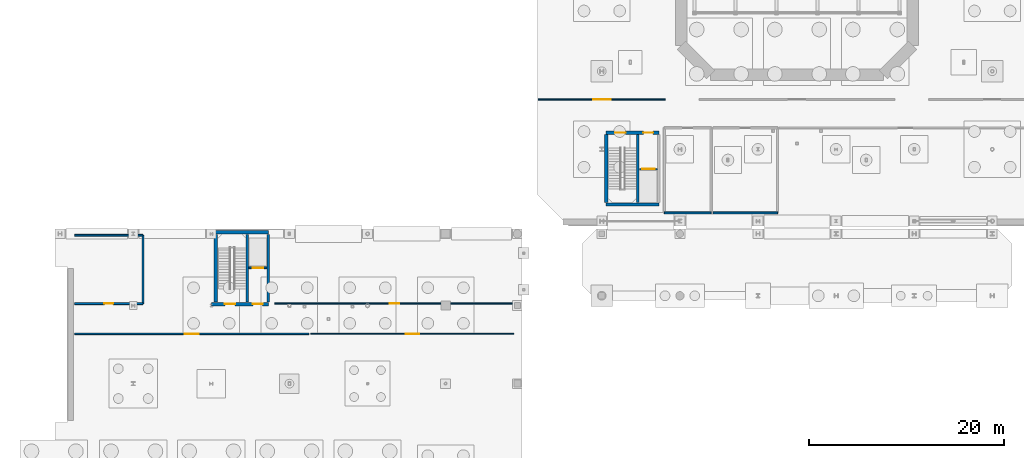
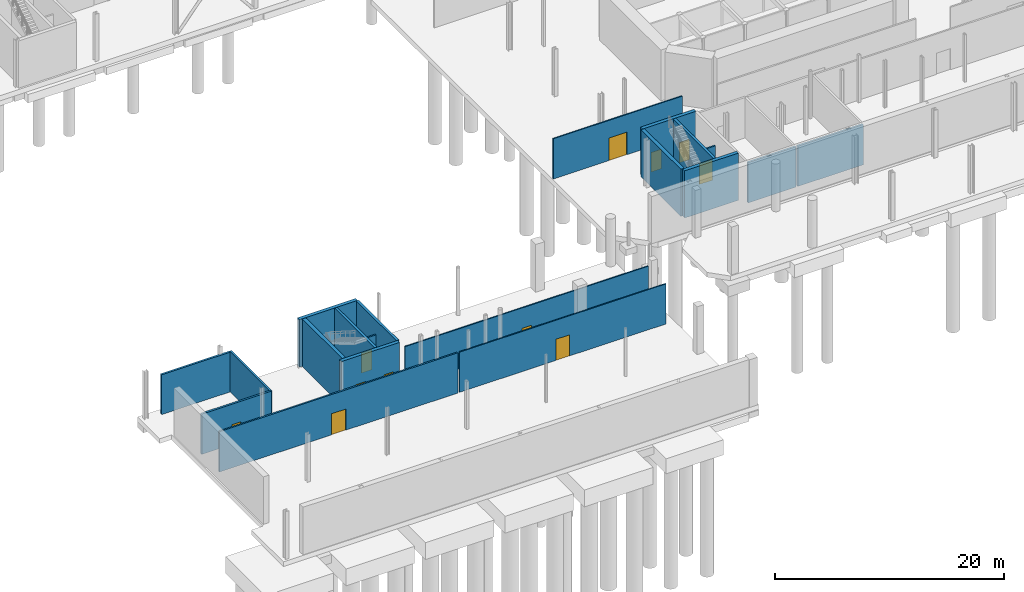
# One storey, part 20 of 33: 20 walls, 11 doors, 11 openings.
"""IFC4 building model written with IfcOpenShell, lengths in metres."""

from ifc_helpers import new_model, si_unit, direction, frame, frame_2d, origin, place, context, subcontext, project, spatial, rectangle, extrude, material, layer, layer_set, type_object, element, fill, save


model = new_model("IFC4")

# Units and contexts
model_context = context("Model", 3, precision=1e-05, world=origin(), true_north=direction((0.0, 1.0)))
body_context = subcontext(model_context, "Body", "Model", "MODEL_VIEW")
ifc_project = project(units=[si_unit("LENGTHUNIT", "METRE"), si_unit("AREAUNIT", "SQUARE_METRE"), si_unit("VOLUMEUNIT", "CUBIC_METRE"), si_unit("PLANEANGLEUNIT", "RADIAN"), si_unit("MASSUNIT", "GRAM", prefix="KILO")], contexts=[model_context])

# Site, building, storey
site_placement = place(None, origin())
site = spatial("IfcSite", under=ifc_project, at=site_placement, CompositionType="ELEMENT")
building_placement = place(site_placement, origin())
building = spatial("IfcBuilding", under=site, at=building_placement, Name="Brisemont Oceanarium", CompositionType="ELEMENT")
storey_placement = place(building_placement, frame((0.0, 0.0, -5.39990234375)))
storey = spatial("IfcBuildingStorey", under=building, at=storey_placement, Name="B01", CompositionType="ELEMENT", Elevation=-5.39990234375)

# Wall, opening, door
ifc_material_1 = material(Name="Moisture-Resistant Gypsum Steel-Stud Partition", Category="steel")
ifc_layer_1 = layer(ifc_material_1, 0.159912109375)
ifc_layer_set_1 = layer_set([ifc_layer_1], Name="Moisture-Resistant Gypsum Steel-Stud Partition")
wall_type_1 = type_object("IfcWallType", Name="IW-FB-160", PredefinedType="PARTITIONING", material=ifc_layer_set_1)
wall_1_placement = place(storey_placement, frame((67.85009765625, 37.97998046875, 0.0), z_axis=(0.0, 0.0, 1.0), x_axis=(1.0, 0.0, 0.0)))
wall_1 = element("IfcWall", 1, at=wall_1_placement, inside=storey, type_object=wall_type_1, Name="Core C1 B01 lift hoistway front wall", PredefinedType="PARTITIONING", context=body_context, shape_type="SweptSolid", body=[
    extrude(rectangle(XDim=1.83984375, YDim=0.159912109375, at=frame_2d((0.919921875, 0.0))), origin(), (0.0, 0.0, 1.0), 3.599853515625),
])
opening_1_placement = place(wall_1_placement, frame((0.27001953125, 0.0, 0.0)))
opening_1 = element("IfcOpeningElement", 2, at=opening_1_placement, cuts=wall_1, Name="Opening LD-02", PredefinedType="OPENING", context=body_context, shape_type="SweptSolid", body=[
    extrude(rectangle(XDim=1.300048828125, YDim=2.199951171875, at=frame_2d((0.64990234375, 1.10009765625))), frame((0.0, 0.08984375, 0.0), z_axis=(0.0, -1.0, 0.0), x_axis=(1.0, 0.0, 0.0)), (0.0, 0.0, 1.0), 0.179931640625),
])
ifc_material_2 = material(Name="Duplex Stainless Steel EN 1.4462", Category="steel")
door_type_1 = type_object("IfcDoorType", Name="DR-LIFT-1300X2200", OperationType="NOTDEFINED", PredefinedType="DOOR", material=ifc_material_2)
door_1_placement = place(opening_1_placement, origin())
door_1 = element("IfcDoor", 3, at=door_1_placement, inside=storey, type_object=door_type_1, Name="Lift landing door LF-01 B01", OperationType="SLIDING_TO_LEFT", OverallHeight=2.199951171875, OverallWidth=1.300048828125, PredefinedType="DOOR", context=body_context, shape_type="SweptSolid", body=[
    extrude(rectangle(XDim=1.300048828125, YDim=2.199951171875, at=frame_2d((0.64990234375, 1.10009765625))), frame((0.0, 0.02490234375, 0.0), z_axis=(0.0, -1.0, 0.0), x_axis=(1.0, 0.0, 0.0)), (0.0, 0.0, 1.0), 0.050048828125),
])
fill(opening_1, door_1)

wall_2_placement = place(storey_placement, frame((27.85009765625, 27.8701171875, 0.0), z_axis=(0.0, 0.0, 1.0), x_axis=(1.0, 0.0, 0.0)))
wall_2 = element("IfcWall", 4, at=wall_2_placement, inside=storey, type_object=wall_type_1, Name="Core C3 B01 lift hoistway front wall", PredefinedType="PARTITIONING", context=body_context, shape_type="SweptSolid", body=[
    extrude(rectangle(XDim=1.83984375, YDim=0.159912109375, at=frame_2d((0.919921875, 0.0))), origin(), (0.0, 0.0, 1.0), 3.599853515625),
])
opening_2_placement = place(wall_2_placement, frame((0.3701171875, 0.0, 0.0)))
opening_2 = element("IfcOpeningElement", 5, at=opening_2_placement, cuts=wall_2, Name="Opening LD-01", PredefinedType="OPENING", context=body_context, shape_type="SweptSolid", body=[
    extrude(rectangle(XDim=1.10009765625, YDim=2.14990234375, at=frame_2d((0.550048828125, 1.074951171875))), frame((0.0, 0.08984375, 0.0), z_axis=(0.0, -1.0, 0.0), x_axis=(1.0, 0.0, 0.0)), (0.0, 0.0, 1.0), 0.179931640625),
])
ifc_material_3 = material(Name="Duplex Stainless Steel EN 1.4462", Category="steel")
door_type_2 = type_object("IfcDoorType", Name="DR-LIFT-1100X2150", OperationType="NOTDEFINED", PredefinedType="DOOR", material=ifc_material_3)
door_2_placement = place(opening_2_placement, origin())
door_2 = element("IfcDoor", 6, at=door_2_placement, inside=storey, type_object=door_type_2, Name="Lift landing door LF-03 B01", OperationType="SLIDING_TO_LEFT", OverallHeight=2.14990234375, OverallWidth=1.10009765625, PredefinedType="DOOR", context=body_context, shape_type="SweptSolid", body=[
    extrude(rectangle(XDim=1.10009765625, YDim=2.14990234375, at=frame_2d((0.550048828125, 1.074951171875))), frame((0.0, 0.02490234375, 0.0), z_axis=(0.0, -1.0, 0.0), x_axis=(1.0, 0.0, 0.0)), (0.0, 0.0, 1.0), 0.050048828125),
])
fill(opening_2, door_2)

wall_3_placement = place(storey_placement, frame((10.0, 21.10009765625, 0.0), z_axis=(0.0, 0.0, 1.0), x_axis=(1.0, 0.0, 0.0)))
wall_3 = element("IfcWall", 7, at=wall_3_placement, inside=storey, type_object=wall_type_1, Name="Deep Sea Trench Exhibit Gallery corridor partition", PredefinedType="PARTITIONING", context=body_context, shape_type="SweptSolid", body=[
    extrude(rectangle(XDim=24.0, YDim=0.159912109375, at=frame_2d((12.0, 0.0))), origin(), (0.0, 0.0, 1.0), 4.289794921875),
])
opening_3_placement = place(wall_3_placement, frame((11.27490234375, 0.0, 0.0)))
opening_3 = element("IfcOpeningElement", 8, at=opening_3_placement, cuts=wall_3, Name="Opening FD90-1", PredefinedType="OPENING", context=body_context, shape_type="SweptSolid", body=[
    extrude(rectangle(XDim=1.449951171875, YDim=2.25, at=frame_2d((0.72509765625, 1.125))), frame((0.0, 0.08984375, 0.0), z_axis=(0.0, -1.0, 0.0), x_axis=(1.0, 0.0, 0.0)), (0.0, 0.0, 1.0), 0.179931640625),
])
ifc_material_4 = material(Name="FSC White Oak Solid-Core Fire Door")
door_type_3 = type_object("IfcDoorType", Name="DR-LOB-1450X2250", OperationType="NOTDEFINED", PredefinedType="DOOR", material=ifc_material_4)
door_3_placement = place(opening_3_placement, origin())
door_3 = element("IfcDoor", 9, at=door_3_placement, inside=storey, type_object=door_type_3, Name="FD90-1 door to Deep Sea Trench Exhibit Gallery", OperationType="SINGLE_SWING_RIGHT", OverallHeight=2.25, OverallWidth=1.449951171875, PredefinedType="DOOR", context=body_context, shape_type="SweptSolid", body=[
    extrude(rectangle(XDim=1.449951171875, YDim=2.25, at=frame_2d((0.72509765625, 1.125))), frame((0.0, 0.02490234375, 0.0), z_axis=(0.0, -1.0, 0.0), x_axis=(1.0, 0.0, 0.0)), (0.0, 0.0, 1.0), 0.050048828125),
])
fill(opening_3, door_3)

ifc_material_5 = material(Name="Moisture-Resistant Gypsum Steel-Stud Partition", Category="steel")
ifc_layer_2 = layer(ifc_material_5, 0.1201171875)
ifc_layer_set_2 = layer_set([ifc_layer_2], Name="Moisture-Resistant Gypsum Steel-Stud Partition")
wall_type_2 = type_object("IfcWallType", Name="IW-PART-120", PredefinedType="PARTITIONING", material=ifc_layer_set_2)
wall_4_placement = place(storey_placement, frame((57.5, 45.10009765625, 0.0), z_axis=(0.0, 0.0, 1.0), x_axis=(1.0, 0.0, 0.0)))
wall_4 = element("IfcWall", 10, at=wall_4_placement, inside=storey, type_object=wall_type_2, Name="Life Support Seawater Surge Plant corridor partition", PredefinedType="PARTITIONING", context=body_context, shape_type="SweptSolid", body=[
    extrude(rectangle(XDim=13.0, YDim=0.1201171875, at=frame_2d((6.5, 0.0))), origin(), (0.0, 0.0, 1.0), 4.289794921875),
])
opening_4_placement = place(wall_4_placement, frame((5.60009765625, 0.0, 0.0)))
opening_4 = element("IfcOpeningElement", 11, at=opening_4_placement, cuts=wall_4, Name="Opening GD-01", PredefinedType="OPENING", context=body_context, shape_type="SweptSolid", body=[
    extrude(rectangle(XDim=1.800048828125, YDim=2.39990234375, at=frame_2d((0.89990234375, 1.199951171875))), frame((0.0, 0.070068359375, 0.0), z_axis=(0.0, -1.0, 0.0), x_axis=(1.0, 0.0, 0.0)), (0.0, 0.0, 1.0), 0.14013671875),
])
ifc_material_6 = material(Name="Patinated Architectural Bronze C38500")
door_type_4 = type_object("IfcDoorType", Name="DR-GAL-1800X2400", OperationType="NOTDEFINED", PredefinedType="DOOR", material=ifc_material_6)
door_4_placement = place(opening_4_placement, origin())
door_4 = element("IfcDoor", 12, at=door_4_placement, inside=storey, type_object=door_type_4, Name="GD-01 door to Life Support Seawater Surge Plant", OperationType="SINGLE_SWING_LEFT", OverallHeight=2.39990234375, OverallWidth=1.800048828125, PredefinedType="DOOR", context=body_context, shape_type="SweptSolid", body=[
    extrude(rectangle(XDim=1.800048828125, YDim=2.39990234375, at=frame_2d((0.89990234375, 1.199951171875))), frame((0.0, 0.02490234375, 0.0), z_axis=(0.0, -1.0, 0.0), x_axis=(1.0, 0.0, 0.0)), (0.0, 0.0, 1.0), 0.050048828125),
])
fill(opening_4, door_4)

wall_5_placement = place(storey_placement, frame((34.199951171875, 21.10009765625, 0.0), z_axis=(0.0, 0.0, 1.0), x_axis=(1.0, 0.0, 0.0)))
wall_5 = element("IfcWall", 13, at=wall_5_placement, inside=storey, type_object=wall_type_2, Name="Pelagic Benthic Exhibit Gallery corridor partition", PredefinedType="PARTITIONING", context=body_context, shape_type="SweptSolid", body=[
    extrude(rectangle(XDim=20.800048828125, YDim=0.1201171875, at=frame_2d((10.39990234375, 0.0))), origin(), (0.0, 0.0, 1.0), 4.27783203125),
])
opening_5_placement = place(wall_5_placement, frame((9.72509765625, 0.0, 0.0)))
opening_5 = element("IfcOpeningElement", 14, at=opening_5_placement, cuts=wall_5, Name="Opening LB-01", PredefinedType="OPENING", context=body_context, shape_type="SweptSolid", body=[
    extrude(rectangle(XDim=1.35009765625, YDim=2.25, at=frame_2d((0.675048828125, 1.125))), frame((0.0, 0.070068359375, 0.0), z_axis=(0.0, -1.0, 0.0), x_axis=(1.0, 0.0, 0.0)), (0.0, 0.0, 1.0), 0.14013671875),
])
ifc_material_7 = material(Name="Duplex Stainless Steel EN 1.4462", Category="steel")
door_type_5 = type_object("IfcDoorType", Name="DR-LAB-1350X2250", OperationType="NOTDEFINED", PredefinedType="DOOR", material=ifc_material_7)
door_5_placement = place(opening_5_placement, origin())
door_5 = element("IfcDoor", 15, at=door_5_placement, inside=storey, type_object=door_type_5, Name="LB-01 door to Pelagic Benthic Exhibit Gallery", OperationType="SINGLE_SWING_LEFT", OverallHeight=2.25, OverallWidth=1.35009765625, PredefinedType="DOOR", context=body_context, shape_type="SweptSolid", body=[
    extrude(rectangle(XDim=1.35009765625, YDim=2.25, at=frame_2d((0.675048828125, 1.125))), frame((0.0, 0.02490234375, 0.0), z_axis=(0.0, -1.0, 0.0), x_axis=(1.0, 0.0, 0.0)), (0.0, 0.0, 1.0), 0.050048828125),
])
fill(opening_5, door_5)

wall_6_placement = place(storey_placement, frame((30.5, 24.199951171875, 0.0), z_axis=(0.0, 0.0, 1.0), x_axis=(1.0, 0.0, 0.0)))
wall_6 = element("IfcWall", 16, at=wall_6_placement, inside=storey, type_object=wall_type_2, Name="Tunnel Acrylic Life Support Plant corridor partition", PredefinedType="PARTITIONING", context=body_context, shape_type="SweptSolid", body=[
    extrude(rectangle(XDim=24.5, YDim=0.1201171875, at=frame_2d((12.25, 0.0))), origin(), (0.0, 0.0, 1.0), 4.27783203125),
])
opening_6_placement = place(wall_6_placement, frame((11.77001953125, 0.0, 0.0)))
opening_6 = element("IfcOpeningElement", 17, at=opening_6_placement, cuts=wall_6, Name="Opening D-02", PredefinedType="OPENING", context=body_context, shape_type="SweptSolid", body=[
    extrude(rectangle(XDim=0.9599609375, YDim=2.10009765625, at=frame_2d((0.47998046875, 1.050048828125))), frame((0.0, 0.070068359375, 0.0), z_axis=(0.0, -1.0, 0.0), x_axis=(1.0, 0.0, 0.0)), (0.0, 0.0, 1.0), 0.14013671875),
])
ifc_material_8 = material(Name="FSC White Oak Solid-Core Fire Door")
door_type_6 = type_object("IfcDoorType", Name="DR-RM-960X2100", OperationType="NOTDEFINED", PredefinedType="DOOR", material=ifc_material_8)
door_6_placement = place(opening_6_placement, origin())
door_6 = element("IfcDoor", 18, at=door_6_placement, inside=storey, type_object=door_type_6, Name="D-02 door to Tunnel Acrylic Life Support Plant", OperationType="SINGLE_SWING_LEFT", OverallHeight=2.10009765625, OverallWidth=0.9599609375, PredefinedType="DOOR", context=body_context, shape_type="SweptSolid", body=[
    extrude(rectangle(XDim=0.9599609375, YDim=2.10009765625, at=frame_2d((0.47998046875, 1.050048828125))), frame((0.0, 0.02490234375, 0.0), z_axis=(0.0, -1.0, 0.0), x_axis=(1.0, 0.0, 0.0)), (0.0, 0.0, 1.0), 0.050048828125),
])
fill(opening_6, door_6)

# Walls
ifc_material_9 = material(Name="Cementitious Tile-Backer Plumbing Wall")
ifc_layer_3 = layer(ifc_material_9, 0.199951171875)
ifc_layer_set_3 = layer_set([ifc_layer_3], Name="Cementitious Tile-Backer Plumbing Wall")
wall_type_3 = type_object("IfcWallType", Name="IW-PLUMB-200", PredefinedType="PLUMBINGWALL", material=ifc_layer_set_3)
wall_7_placement = place(storey_placement, frame((70.39990234375, 33.5, 0.0), z_axis=(0.0, 0.0, 1.0), x_axis=(1.0, 0.0, 0.0)))
element("IfcWall", 19, at=wall_7_placement, inside=storey, type_object=wall_type_3, Name="Accessible WC enclosure wall S", PredefinedType="PLUMBINGWALL", context=body_context, shape_type="SweptSolid", body=[
    extrude(rectangle(XDim=4.800048828125, YDim=0.199951171875, at=frame_2d((2.39990234375, 0.0))), origin(), (0.0, 0.0, 1.0), 4.289794921875),
])
wall_8_placement = place(storey_placement, frame((75.39990234375, 33.5, 0.0), z_axis=(0.0, 0.0, 1.0), x_axis=(1.0, 0.0, 0.0)))
element("IfcWall", 20, at=wall_8_placement, inside=storey, type_object=wall_type_3, Name="Public Restroom enclosure wall S", PredefinedType="PLUMBINGWALL", context=body_context, shape_type="SweptSolid", body=[
    extrude(rectangle(XDim=6.60009765625, YDim=0.199951171875, at=frame_2d((3.300048828125, 0.0))), origin(), (0.0, 0.0, 1.0), 4.289794921875),
])

# Wall, opening, door
wall_9_placement = place(storey_placement, frame((10.0, 24.199951171875, 0.0), z_axis=(0.0, 0.0, 1.0), x_axis=(1.0, 0.0, 0.0)))
wall_9 = element("IfcWall", 21, at=wall_9_placement, inside=storey, type_object=wall_type_3, Name="Staff Restroom corridor partition", PredefinedType="PLUMBINGWALL", context=body_context, shape_type="SweptSolid", body=[
    extrude(rectangle(XDim=7.0, YDim=0.199951171875, at=frame_2d((3.5, 0.0))), origin(), (0.0, 0.0, 1.0), 4.289794921875),
])
opening_7_placement = place(wall_9_placement, frame((3.044921875, 0.0, 0.0)))
opening_7 = element("IfcOpeningElement", 22, at=opening_7_placement, cuts=wall_9, Name="Opening D-03", PredefinedType="OPENING", context=body_context, shape_type="SweptSolid", body=[
    extrude(rectangle(XDim=0.909912109375, YDim=2.10009765625, at=frame_2d((0.455078125, 1.050048828125))), frame((0.0, 0.10986328125, 0.0), z_axis=(0.0, -1.0, 0.0), x_axis=(1.0, 0.0, 0.0)), (0.0, 0.0, 1.0), 0.219970703125),
])
ifc_material_10 = material(Name="FSC White Oak Solid-Core Fire Door")
door_type_7 = type_object("IfcDoorType", Name="DR-WC-910X2100", OperationType="NOTDEFINED", PredefinedType="DOOR", material=ifc_material_10)
door_7_placement = place(opening_7_placement, origin())
door_7 = element("IfcDoor", 23, at=door_7_placement, inside=storey, type_object=door_type_7, Name="D-03 door to Staff Restroom", OperationType="SINGLE_SWING_RIGHT", OverallHeight=2.10009765625, OverallWidth=0.909912109375, PredefinedType="DOOR", context=body_context, shape_type="SweptSolid", body=[
    extrude(rectangle(XDim=0.909912109375, YDim=2.10009765625, at=frame_2d((0.455078125, 1.050048828125))), frame((0.0, 0.02490234375, 0.0), z_axis=(0.0, -1.0, 0.0), x_axis=(1.0, 0.0, 0.0)), (0.0, 0.0, 1.0), 0.050048828125),
])
fill(opening_7, door_7)

# Walls
wall_10_placement = place(storey_placement, frame((10.0, 31.199951171875, 0.0), z_axis=(0.0, 0.0, 1.0), x_axis=(1.0, 0.0, 0.0)))
element("IfcWall", 24, at=wall_10_placement, inside=storey, type_object=wall_type_3, Name="Staff Restroom enclosure wall N", PredefinedType="PLUMBINGWALL", context=body_context, shape_type="SweptSolid", body=[
    extrude(rectangle(XDim=7.0, YDim=0.199951171875, at=frame_2d((3.5, 0.0))), origin(), (0.0, 0.0, 1.0), 4.239990234375),
])
wall_11_placement = place(storey_placement, frame((17.0, 24.199951171875, 0.0), z_axis=(0.0, 0.0, 1.0), x_axis=(0.0, 1.0, 0.0)))
element("IfcWall", 25, at=wall_11_placement, inside=storey, type_object=wall_type_3, Name="Staff Restroom enclosure wall E", PredefinedType="PLUMBINGWALL", context=body_context, shape_type="SweptSolid", body=[
    extrude(rectangle(XDim=7.0, YDim=0.199951171875, at=frame_2d((3.5, 0.0))), origin(), (0.0, 0.0, 1.0), 4.289794921875),
])
ifc_material_11 = material(Name="Concrete C40/50", Category="concrete")
ifc_layer_4 = layer(ifc_material_11, 0.260009765625)
ifc_layer_set_4 = layer_set([ifc_layer_4], Name="Concrete C40/50")
wall_type_4 = type_object("IfcWallType", Name="SW-SHAFT-260", PredefinedType="SHEAR", material=ifc_layer_set_4)
wall_12_placement = place(storey_placement, frame((67.669921875, 34.550048828125, 0.0), z_axis=(0.0, 0.0, 1.0), x_axis=(0.0, 1.0, 0.0)))
element("IfcWall", 26, at=wall_12_placement, inside=storey, type_object=wall_type_4, Name="Core C1 B01 MID RC shear wall", PredefinedType="SHEAR", context=body_context, shape_type="SweptSolid", body=[
    extrude(rectangle(XDim=6.949951171875, YDim=0.260009765625, at=frame_2d((3.47509765625, 0.0))), origin(), (0.0, 0.0, 1.0), 5.02978515625),
])
for number, where, z_axis, x_axis, name in (
    (27, (29.85009765625, 24.35009765625, 0.0), (0.0, 0.0, 1.0), (0.0, 1.0, 0.0), "Core C3 B01 E RC shear wall"),
    (28, (27.669921875, 24.35009765625, 0.0), (0.0, 0.0, 1.0), (0.0, 1.0, 0.0), "Core C3 B01 MID RC shear wall"),
):
    element("IfcWall", number, at=place(storey_placement, frame(where, z_axis=z_axis, x_axis=x_axis)), inside=storey, type_object=wall_type_4, Name=name, PredefinedType="SHEAR", context=body_context, shape_type="SweptSolid", body=[
        extrude(rectangle(XDim=6.949951171875, YDim=0.260009765625, at=frame_2d((3.47509765625, 0.0))), origin(), (0.0, 0.0, 1.0), 5.06982421875),
    ])

# Wall, openings, doors
ifc_material_12 = material(Name="Concrete C40/50", Category="concrete")
ifc_layer_5 = layer(ifc_material_12, 0.35009765625)
ifc_layer_set_5 = layer_set([ifc_layer_5], Name="Concrete C40/50")
wall_type_5 = type_object("IfcWallType", Name="SW-STAIR-350", PredefinedType="SHEAR", material=ifc_layer_set_5)
wall_13_placement = place(storey_placement, frame((64.449951171875, 41.699951171875, 0.0), z_axis=(0.0, 0.0, 1.0), x_axis=(1.0, 0.0, 0.0)))
wall_13 = element("IfcWall", 29, at=wall_13_placement, inside=storey, type_object=wall_type_5, Name="Core C1 B01 corridor RC shear wall", PredefinedType="SHEAR", context=body_context, shape_type="SweptSolid", body=[
    extrude(rectangle(XDim=5.400146484375, YDim=0.35009765625, at=frame_2d((2.7001953125, 0.0))), origin(), (0.0, 0.0, 1.0), 5.02978515625),
])
opening_8_placement = place(wall_13_placement, frame((0.949951171875, 0.0, 0.0)))
opening_8 = element("IfcOpeningElement", 30, at=opening_8_placement, cuts=wall_13, Name="Opening SD-02", PredefinedType="OPENING", context=body_context, shape_type="SweptSolid", body=[
    extrude(rectangle(XDim=1.050048828125, YDim=2.10009765625, at=frame_2d((0.52490234375, 1.050048828125))), frame((0.0, 0.18505859375, 0.0), z_axis=(0.0, -1.0, 0.0), x_axis=(1.0, 0.0, 0.0)), (0.0, 0.0, 1.0), 0.3701171875),
])
opening_9_placement = place(wall_13_placement, frame((3.800048828125, 0.0, 0.0)))
opening_9 = element("IfcOpeningElement", 31, at=opening_9_placement, cuts=wall_13, Name="Opening FD90-2", PredefinedType="OPENING", context=body_context, shape_type="SweptSolid", body=[
    extrude(rectangle(XDim=1.0, YDim=2.14990234375, at=frame_2d((0.5, 1.074951171875))), frame((0.0, 0.18505859375, 0.0), z_axis=(0.0, -1.0, 0.0), x_axis=(1.0, 0.0, 0.0)), (0.0, 0.0, 1.0), 0.3701171875),
])
ifc_material_13 = material(Name="FSC White Oak Solid-Core Fire Door")
door_type_8 = type_object("IfcDoorType", Name="DR-LOB-1000X2150", OperationType="NOTDEFINED", PredefinedType="DOOR", material=ifc_material_13)
door_8_placement = place(opening_9_placement, origin())
door_8 = element("IfcDoor", 32, at=door_8_placement, inside=storey, type_object=door_type_8, Name="Lift lobby door C1 B01", OperationType="SINGLE_SWING_RIGHT", OverallHeight=2.14990234375, OverallWidth=1.0, PredefinedType="DOOR", context=body_context, shape_type="SweptSolid", body=[
    extrude(rectangle(XDim=1.0, YDim=2.14990234375, at=frame_2d((0.5, 1.074951171875))), frame((0.0, 0.02490234375, 0.0), z_axis=(0.0, -1.0, 0.0), x_axis=(1.0, 0.0, 0.0)), (0.0, 0.0, 1.0), 0.050048828125),
])
fill(opening_9, door_8)
ifc_material_14 = material(Name="Duplex Stainless Steel EN 1.4462", Category="steel")
door_type_9 = type_object("IfcDoorType", Name="DR-STAIR-1050X2100", OperationType="NOTDEFINED", PredefinedType="DOOR", material=ifc_material_14)
door_9_placement = place(opening_8_placement, origin())
door_9 = element("IfcDoor", 33, at=door_9_placement, inside=storey, type_object=door_type_9, Name="Exit stair door ST-01 B01", OperationType="SINGLE_SWING_LEFT", OverallHeight=2.10009765625, OverallWidth=1.050048828125, PredefinedType="DOOR", context=body_context, shape_type="SweptSolid", body=[
    extrude(rectangle(XDim=1.050048828125, YDim=2.10009765625, at=frame_2d((0.52490234375, 1.050048828125))), frame((0.0, 0.02490234375, 0.0), z_axis=(0.0, -1.0, 0.0), x_axis=(1.0, 0.0, 0.0)), (0.0, 0.0, 1.0), 0.050048828125),
])
fill(opening_8, door_9)

# Walls
wall_14_placement = place(storey_placement, frame((64.449951171875, 34.35009765625, 0.0), z_axis=(0.0, 0.0, 1.0), x_axis=(1.0, 0.0, 0.0)))
element("IfcWall", 34, at=wall_14_placement, inside=storey, type_object=wall_type_5, Name="Core C1 B01 BCK RC shear wall", PredefinedType="SHEAR", context=body_context, shape_type="SweptSolid", body=[
    extrude(rectangle(XDim=5.400146484375, YDim=0.35009765625, at=frame_2d((2.7001953125, 0.0))), origin(), (0.0, 0.0, 1.0), 5.02978515625),
])
wall_15_placement = place(storey_placement, frame((64.449951171875, 34.550048828125, 0.0), z_axis=(0.0, 0.0, 1.0), x_axis=(0.0, 1.0, 0.0)))
element("IfcWall", 35, at=wall_15_placement, inside=storey, type_object=wall_type_5, Name="Core C1 B01 W RC shear wall", PredefinedType="SHEAR", context=body_context, shape_type="SweptSolid", body=[
    extrude(rectangle(XDim=6.949951171875, YDim=0.35009765625, at=frame_2d((3.47509765625, 0.0))), origin(), (0.0, 0.0, 1.0), 5.02978515625),
])

# Wall, openings, doors
wall_16_placement = place(storey_placement, frame((24.0, 24.14990234375, 0.0), z_axis=(0.0, 0.0, 1.0), x_axis=(1.0, 0.0, 0.0)))
wall_16 = element("IfcWall", 36, at=wall_16_placement, inside=storey, type_object=wall_type_5, Name="Core C3 B01 corridor RC shear wall", PredefinedType="SHEAR", context=body_context, shape_type="SweptSolid", body=[
    extrude(rectangle(XDim=5.85009765625, YDim=0.35009765625, at=frame_2d((2.925048828125, 0.0))), origin(), (0.0, 0.0, 1.0), 5.06982421875),
])
opening_10_placement = place(wall_16_placement, frame((1.39990234375, 0.0, 0.0)))
opening_10 = element("IfcOpeningElement", 37, at=opening_10_placement, cuts=wall_16, Name="Opening SD-02", PredefinedType="OPENING", context=body_context, shape_type="SweptSolid", body=[
    extrude(rectangle(XDim=1.050048828125, YDim=2.10009765625, at=frame_2d((0.52490234375, 1.050048828125))), frame((0.0, 0.18505859375, 0.0), z_axis=(0.0, -1.0, 0.0), x_axis=(1.0, 0.0, 0.0)), (0.0, 0.0, 1.0), 0.3701171875),
])
opening_11_placement = place(wall_16_placement, frame((4.25, 0.0, 0.0)))
opening_11 = element("IfcOpeningElement", 38, at=opening_11_placement, cuts=wall_16, Name="Opening FD90-2", PredefinedType="OPENING", context=body_context, shape_type="SweptSolid", body=[
    extrude(rectangle(XDim=1.0, YDim=2.14990234375, at=frame_2d((0.5, 1.074951171875))), frame((0.0, 0.18505859375, 0.0), z_axis=(0.0, -1.0, 0.0), x_axis=(1.0, 0.0, 0.0)), (0.0, 0.0, 1.0), 0.3701171875),
])
door_10_placement = place(opening_11_placement, origin())
door_10 = element("IfcDoor", 39, at=door_10_placement, inside=storey, type_object=door_type_8, Name="Lift lobby door C3 B01", OperationType="SINGLE_SWING_LEFT", OverallHeight=2.14990234375, OverallWidth=1.0, PredefinedType="DOOR", context=body_context, shape_type="SweptSolid", body=[
    extrude(rectangle(XDim=1.0, YDim=2.14990234375, at=frame_2d((0.5, 1.074951171875))), frame((0.0, 0.02490234375, 0.0), z_axis=(0.0, -1.0, 0.0), x_axis=(1.0, 0.0, 0.0)), (0.0, 0.0, 1.0), 0.050048828125),
])
fill(opening_11, door_10)
door_11_placement = place(opening_10_placement, origin())
door_11 = element("IfcDoor", 40, at=door_11_placement, inside=storey, type_object=door_type_9, Name="Exit stair door ST-03 B01", OperationType="SINGLE_SWING_RIGHT", OverallHeight=2.10009765625, OverallWidth=1.050048828125, PredefinedType="DOOR", context=body_context, shape_type="SweptSolid", body=[
    extrude(rectangle(XDim=1.050048828125, YDim=2.10009765625, at=frame_2d((0.52490234375, 1.050048828125))), frame((0.0, 0.02490234375, 0.0), z_axis=(0.0, -1.0, 0.0), x_axis=(1.0, 0.0, 0.0)), (0.0, 0.0, 1.0), 0.050048828125),
])
fill(opening_10, door_11)

# Walls
wall_17_placement = place(storey_placement, frame((24.0, 31.5, 0.0), z_axis=(0.0, 0.0, 1.0), x_axis=(1.0, 0.0, 0.0)))
element("IfcWall", 41, at=wall_17_placement, inside=storey, type_object=wall_type_5, Name="Core C3 B01 BCK RC shear wall", PredefinedType="SHEAR", context=body_context, shape_type="SweptSolid", body=[
    extrude(rectangle(XDim=5.85009765625, YDim=0.35009765625, at=frame_2d((2.925048828125, 0.0))), origin(), (0.0, 0.0, 1.0), 5.06982421875),
])
wall_18_placement = place(storey_placement, frame((24.449951171875, 24.35009765625, 0.0), z_axis=(0.0, 0.0, 1.0), x_axis=(0.0, 1.0, 0.0)))
element("IfcWall", 42, at=wall_18_placement, inside=storey, type_object=wall_type_5, Name="Core C3 B01 W RC shear wall", PredefinedType="SHEAR", context=body_context, shape_type="SweptSolid", body=[
    extrude(rectangle(XDim=6.949951171875, YDim=0.35009765625, at=frame_2d((3.47509765625, 0.0))), origin(), (0.0, 0.0, 1.0), 5.06982421875),
])

save(model, "model.ifc")
